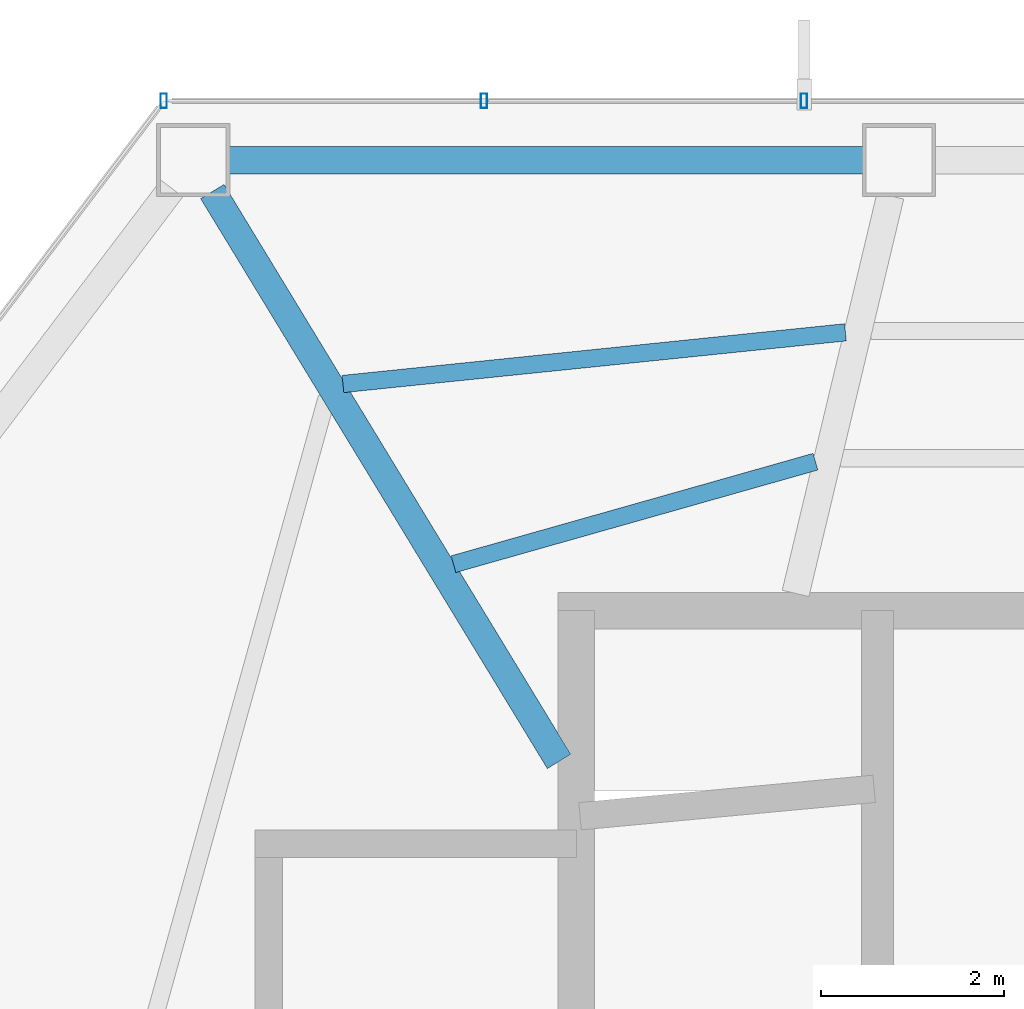
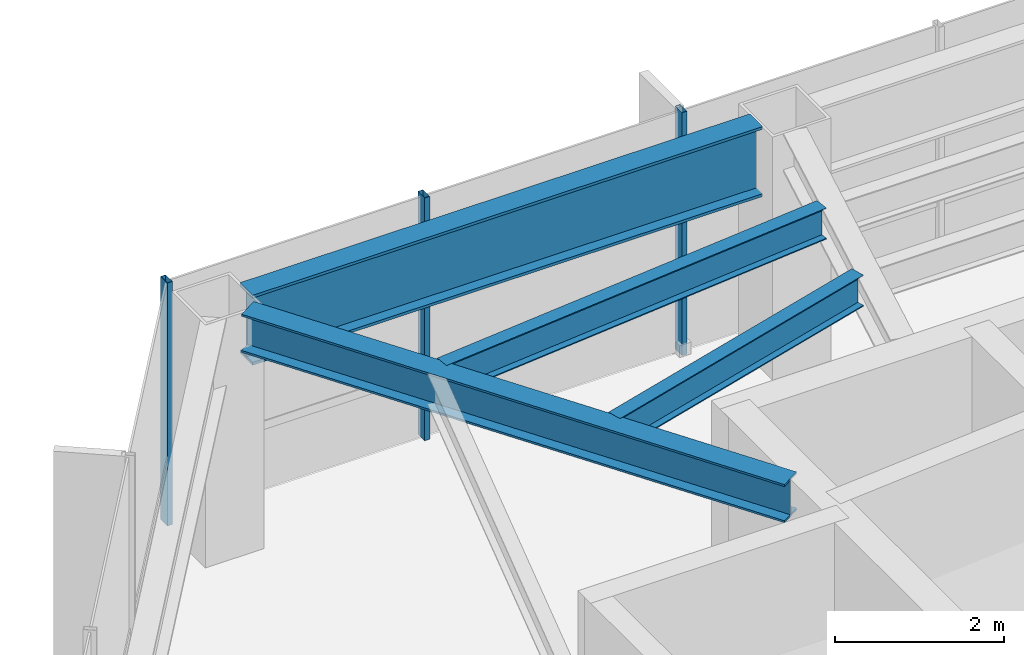
# One storey, part 13 of 28: 4 beams, 3 members, 1 element without a shape of its own.
"""IFC4 building model written with IfcOpenShell, lengths in metres."""

from ifc_helpers import new_model, si_unit, direction, frame, origin, origin_2d, place, context, subcontext, project, spatial, hollow_rectangle, i_section, extrude, material, layer, layer_set, material_profile, profile_set, type_object, element, aggregate, save


model = new_model("IFC4")

# Units and contexts
model_context = context("Model", 3, precision=1e-05, world=origin(), true_north=direction((0.0, 1.0)))
body_context = subcontext(model_context, "Body", "Model", "MODEL_VIEW")
ifc_project = project(units=[si_unit("LENGTHUNIT", "METRE"), si_unit("AREAUNIT", "SQUARE_METRE"), si_unit("VOLUMEUNIT", "CUBIC_METRE"), si_unit("PLANEANGLEUNIT", "RADIAN"), si_unit("MASSUNIT", "GRAM", prefix="KILO")], contexts=[model_context])

# Site, building, storey
site_placement = place(None, origin())
site = spatial("IfcSite", under=ifc_project, at=site_placement, CompositionType="ELEMENT")
building_placement = place(site_placement, origin())
building = spatial("IfcBuilding", under=site, at=building_placement, Name="Zarrinselat Tower", CompositionType="ELEMENT")
storey_placement = place(building_placement, frame((0.0, 0.0, 145.860107421875)))
storey = spatial("IfcBuildingStorey", under=building, at=storey_placement, Name="L35", CompositionType="ELEMENT", Elevation=145.860107421875)

# Beams
ifc_material_1 = material(Name="Steel S355J2", Category="steel")
ifc_material_profile_1 = material_profile(ifc_material_1, i_section(OverallWidth=0.300048828125, OverallDepth=0.550048828125, WebThickness=0.014892578125, FlangeThickness=0.029052734375, at=origin_2d()), Name="HEB 550")
ifc_profile_set_1 = profile_set([ifc_material_profile_1], Name="Steel S355J2")
beam_type_1 = type_object("IfcBeamType", Name="BM-HEB550", PredefinedType="BEAM", material=ifc_profile_set_1)
beam_1_placement = place(storey_placement, frame((24.61376953125, 48.039794921875, 3.224853515625), z_axis=(0.519750753413, -0.85431794686, 0.0), x_axis=(0.85431794686, 0.519750753413, 0.0)))
element("IfcBeam", 1, at=beam_1_placement, inside=storey, type_object=beam_type_1, Name="L35 Radial Primary Girder RG05", PredefinedType="BEAM", context=body_context, shape_type="SweptSolid", body=[
    extrude(i_section(OverallWidth=0.300048828125, OverallDepth=0.550048828125, WebThickness=0.014892578125, FlangeThickness=0.029052734375, at=origin_2d()), origin(), (0.0, 0.0, 1.0), 7.3037109375),
])
ifc_material_2 = material(Name="Steel S460M", Category="steel")
ifc_material_profile_2 = material_profile(ifc_material_2, i_section(OverallWidth=0.302001953125, OverallDepth=1.008056640625, WebThickness=0.02099609375, FlangeThickness=0.0400390625, at=origin_2d()), Name="HEM 1000")
ifc_profile_set_2 = profile_set([ifc_material_profile_2], Name="Steel S460M")
beam_type_2 = type_object("IfcBeamType", Name="BM-HEM1000", PredefinedType="BEAM", material=ifc_profile_set_2)
beam_2_placement = place(storey_placement, frame((24.792724609375, 48.38330078125, 2.995849609375), z_axis=(1.0, 0.0, 0.0), x_axis=(0.0, 1.0, 0.0)))
element("IfcBeam", 2, at=beam_2_placement, inside=storey, type_object=beam_type_2, Name="L35 Perimeter Spandrel Girder SP04", PredefinedType="BEAM", context=body_context, shape_type="SweptSolid", body=[
    extrude(i_section(OverallWidth=0.302001953125, OverallDepth=1.008056640625, WebThickness=0.02099609375, FlangeThickness=0.0400390625, at=origin_2d()), origin(), (0.0, 0.0, 1.0), 6.9501953125),
])
ifc_material_3 = material(Name="Steel S355J2", Category="steel")
ifc_material_profile_3 = material_profile(ifc_material_3, i_section(OverallWidth=0.18994140625, OverallDepth=0.449951171875, WebThickness=0.009521484375, FlangeThickness=0.0146484375, at=origin_2d()), Name="IPE 450")
ifc_profile_set_3 = profile_set([ifc_material_profile_3], Name="Steel S355J2")
beam_type_3 = type_object("IfcBeamType", Name="BM-IPE450", PredefinedType="JOIST", material=ifc_profile_set_3)
beam_3_placement = place(storey_placement, frame((26.043701171875, 45.9326171875, 3.27490234375), z_axis=(0.99475625072, 0.10227414949, 0.0), x_axis=(-0.10227414949, 0.99475625072, 0.0)))
element("IfcBeam", 3, at=beam_3_placement, inside=storey, type_object=beam_type_3, Name="L35 Composite Floor Joist 9-1", PredefinedType="JOIST", context=body_context, shape_type="SweptSolid", body=[
    extrude(i_section(OverallWidth=0.18994140625, OverallDepth=0.449951171875, WebThickness=0.009521484375, FlangeThickness=0.0146484375, at=origin_2d()), origin(), (0.0, 0.0, 1.0), 5.531005859375),
])
beam_4_placement = place(storey_placement, frame((27.25390625, 43.959716796875, 3.27490234375), z_axis=(0.962196376975, 0.272356626752, 0.0), x_axis=(-0.272356626752, 0.962196376975, 0.0)))
element("IfcBeam", 4, at=beam_4_placement, inside=storey, type_object=beam_type_3, Name="L35 Composite Floor Joist 9-2", PredefinedType="JOIST", context=body_context, shape_type="SweptSolid", body=[
    extrude(i_section(OverallWidth=0.18994140625, OverallDepth=0.449951171875, WebThickness=0.009521484375, FlangeThickness=0.0146484375, at=origin_2d()), origin(), (0.0, 0.0, 1.0), 4.119873046875),
])

# Curtain wall, members
ifc_material_4 = material(Name="Extruded Aluminium Alloy EN AW-6063 T6", Category="aluminium")
ifc_layer = layer(ifc_material_4, 0.175048828125)
ifc_layer_set = layer_set([ifc_layer], Name="Extruded Aluminium Alloy EN AW-6063 T6")
curtain_wall_type = type_object("IfcCurtainWallType", Name="CWS-HTL", PredefinedType="NOTDEFINED", material=ifc_layer_set)
curtain_wall_placement = place(storey_placement, origin())
curtain_wall = element("IfcCurtainWall", 5, at=curtain_wall_placement, inside=storey, type_object=curtain_wall_type, Name="L35 Unitised Curtain Wall CW-L35-E01", PredefinedType="NOTDEFINED")
ifc_material_5 = material(Name="Extruded Aluminium Alloy EN AW-6063 T6", Category="aluminium")
ifc_material_profile_4 = material_profile(ifc_material_5, hollow_rectangle(XDim=0.070068359375, YDim=0.159912109375, WallThickness=0.00390625, at=origin_2d()), Name="RHS 160x70x4")
ifc_profile_set_4 = profile_set([ifc_material_profile_4], Name="Extruded Aluminium Alloy EN AW-6063 T6")
member_type = type_object("IfcMemberType", Name="MEM-CW-MUL2", PredefinedType="MULLION", material=ifc_profile_set_4)
member_1_placement = place(storey_placement, frame((31.093017578125, 49.033203125, 0.0), z_axis=(0.0, 0.0, 1.0), x_axis=(-1.0, 0.0, 0.0)))
member_1 = element("IfcMember", 6, at=member_1_placement, type_object=member_type, Name="CW-L35-E01 Mullion 9", PredefinedType="MULLION", context=body_context, shape_type="SweptSolid", body=[
    extrude(hollow_rectangle(XDim=0.070068359375, YDim=0.159912109375, WallThickness=0.00390625, at=origin_2d()), origin(), (0.0, 0.0, 1.0), 3.5),
])
member_2_placement = place(storey_placement, frame((27.58740234375, 49.033203125, 0.0), z_axis=(0.0, 0.0, 1.0), x_axis=(-1.0, 0.0, 0.0)))
member_2 = element("IfcMember", 7, at=member_2_placement, type_object=member_type, Name="CW-L35-E01 Mullion 10", PredefinedType="MULLION", context=body_context, shape_type="SweptSolid", body=[
    extrude(hollow_rectangle(XDim=0.070068359375, YDim=0.159912109375, WallThickness=0.00390625, at=origin_2d()), origin(), (0.0, 0.0, 1.0), 3.5),
])
member_3_placement = place(storey_placement, frame((24.081787109375, 49.033203125, 0.0), z_axis=(0.0, 0.0, 1.0), x_axis=(-1.0, 0.0, 0.0)))
member_3 = element("IfcMember", 8, at=member_3_placement, type_object=member_type, Name="CW-L35-E01 Mullion 11", PredefinedType="MULLION", context=body_context, shape_type="SweptSolid", body=[
    extrude(hollow_rectangle(XDim=0.070068359375, YDim=0.159912109375, WallThickness=0.00390625, at=origin_2d()), origin(), (0.0, 0.0, 1.0), 3.5),
])
aggregate(curtain_wall, [member_1, member_2, member_3])

save(model, "model.ifc")
